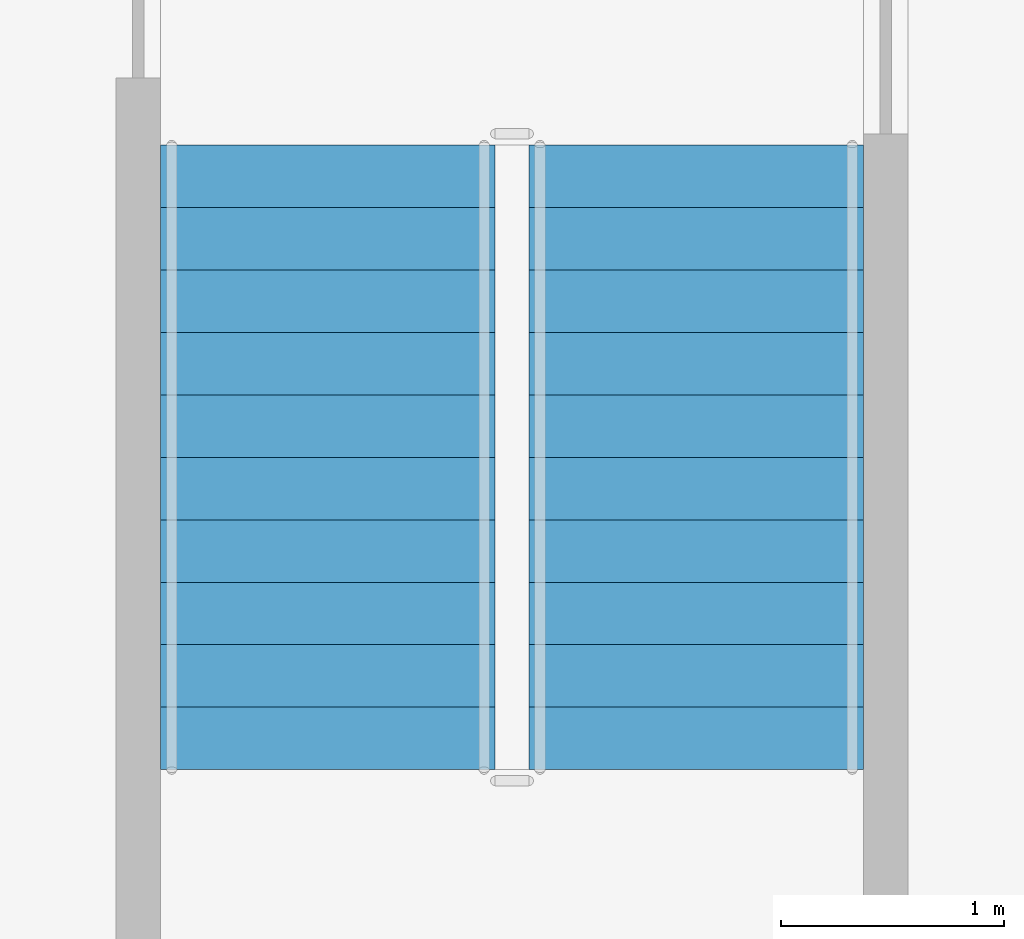
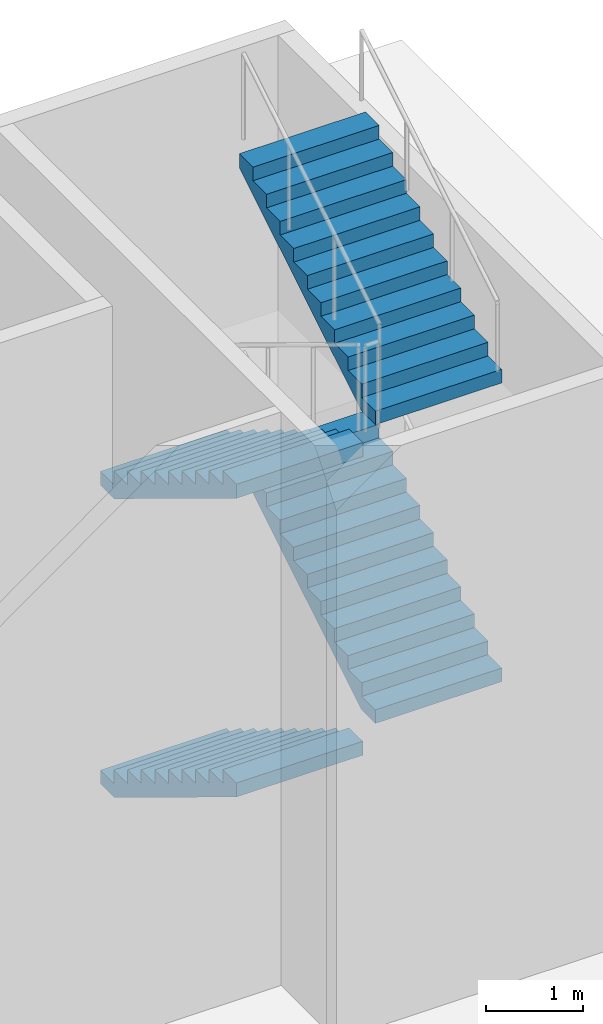
# One storey, part 43 of 52: 4 stair flights, 1 element without a shape of its own.
"""IFC4 building model written with IfcOpenShell, lengths in metres."""

from ifc_helpers import new_model, si_unit, direction, frame, origin, place, context, subcontext, project, spatial, polyline, outline, extrude, source, transform, mapped, material, type_object, element, aggregate, save


model = new_model("IFC4")

# Units and contexts
model_context = context("Model", 3, precision=1e-05, world=origin(), true_north=direction((0.0, 1.0)))
body_context = subcontext(model_context, "Body", "Model", "MODEL_VIEW")
ifc_project = project(units=[si_unit("LENGTHUNIT", "METRE"), si_unit("AREAUNIT", "SQUARE_METRE"), si_unit("VOLUMEUNIT", "CUBIC_METRE"), si_unit("PLANEANGLEUNIT", "RADIAN"), si_unit("MASSUNIT", "GRAM", prefix="KILO")], contexts=[model_context])

# Site, building, storey
site_placement = place(None, origin())
site = spatial("IfcSite", under=ifc_project, at=site_placement, CompositionType="ELEMENT")
building_placement = place(site_placement, origin())
building = spatial("IfcBuilding", under=site, at=building_placement, Name="Khomas Fold Tower", CompositionType="ELEMENT")
storey_placement = place(building_placement, origin())
storey = spatial("IfcBuildingStorey", under=building, at=storey_placement, Name="L00", CompositionType="ELEMENT", Elevation=0.0)

# Stair, stair flights
ifc_material_1 = material(Name="Concrete C40/50", Category="concrete")
stair_type = type_object("IfcStairType", Name="Stair PS6", PredefinedType="HALF_TURN_STAIR", material=ifc_material_1)
stair_placement = place(storey_placement, origin())
stair = element("IfcStair", 1, at=stair_placement, inside=storey, type_object=stair_type, Name="L00 PS6", PredefinedType="HALF_TURN_STAIR")
ifc_material_2 = material(Name="Concrete C40/50", Category="concrete")
stair_flight_type = type_object("IfcStairFlightType", Name="Stair flight 1500 PS6", PredefinedType="STRAIGHT", material=ifc_material_2)
shared_shape = source(origin(), body_context, "Body", "SweptSolid", [
    extrude(outline(polyline([(0.0, 0.0), (0.0, 0.01318359375), (0.0, 0.026123046875), (0.0, 0.039306640625), (0.0, 0.052490234375), (0.0, 0.065673828125), (0.0, 0.07861328125), (0.0, 0.091796875), (0.0, 0.10498046875), (0.0, 0.117919921875), (0.0, 0.131103515625), (0.0, 0.144287109375), (0.0, 0.1572265625), (0.0, 0.17041015625), (0.280029296875, 0.17041015625), (0.280029296875, 0.3408203125), (0.56005859375, 0.3408203125), (0.56005859375, 0.511474609375), (0.840087890625, 0.511474609375), (0.840087890625, 0.681884765625), (1.1201171875, 0.681884765625), (1.1201171875, 0.852294921875), (1.39990234375, 0.852294921875), (1.39990234375, 1.022705078125), (1.679931640625, 1.022705078125), (1.679931640625, 1.193115234375), (1.9599609375, 1.193115234375), (1.9599609375, 1.363525390625), (2.239990234375, 1.363525390625), (2.239990234375, 1.5341796875), (2.52001953125, 1.5341796875), (2.52001953125, 1.70458984375), (2.800048828125, 1.70458984375), (2.800048828125, 1.875), (2.800048828125, 1.848388671875), (2.800048828125, 1.82177734375), (2.800048828125, 1.795166015625), (2.800048828125, 1.7685546875), (2.800048828125, 1.741943359375), (2.800048828125, 1.71533203125), (2.800048828125, 1.688720703125), (2.800048828125, 1.662109375), (2.800048828125, 1.635498046875), (2.800048828125, 1.60888671875), (2.800048828125, 1.582275390625), (2.800048828125, 1.5556640625), (2.800048828125, 1.529052734375), (0.288330078125, 0.0), (0.0, 0.0)])), frame((0.0, 0.75, 0.0), z_axis=(0.0, -1.0, 0.0), x_axis=(1.0, 0.0, 0.0)), (0.0, 0.0, 1.0), 1.5),
])
stair_flight_1_placement = place(storey_placement, frame((78.39990234375, 52.0, 0.0), z_axis=(0.0, 0.0, 1.0), x_axis=(0.0, -1.0, 0.0)))
stair_flight_1 = element("IfcStairFlight", 2, at=stair_flight_1_placement, type_object=stair_flight_type, Name="PS6 flight 1", NumberOfRisers=11, NumberOfTreads=10, PredefinedType="STRAIGHT", RiserHeight=0.170454545, TreadLength=0.28, context=body_context, shape_type="MappedRepresentation", body=[
    mapped(shared_shape, transform((0.0, 0.0, 0.0))),
])
stair_flight_2_placement = place(storey_placement, frame((80.050048828125, 49.199951171875, 1.875), z_axis=(0.0, 0.0, 1.0), x_axis=(0.0, 1.0, 0.0)))
stair_flight_2 = element("IfcStairFlight", 3, at=stair_flight_2_placement, type_object=stair_flight_type, Name="PS6 flight 2", NumberOfRisers=11, NumberOfTreads=10, PredefinedType="STRAIGHT", RiserHeight=0.170454545, TreadLength=0.28, context=body_context, shape_type="MappedRepresentation", body=[
    mapped(shared_shape, transform((0.0, 0.0, 0.0))),
])
stair_flight_3_placement = place(storey_placement, frame((78.39990234375, 52.0, 3.75), z_axis=(0.0, 0.0, 1.0), x_axis=(0.0, -1.0, 0.0)))
stair_flight_3 = element("IfcStairFlight", 4, at=stair_flight_3_placement, type_object=stair_flight_type, Name="PS6 flight 3", NumberOfRisers=11, NumberOfTreads=10, PredefinedType="STRAIGHT", RiserHeight=0.170454545, TreadLength=0.28, context=body_context, shape_type="MappedRepresentation", body=[
    mapped(shared_shape, transform((0.0, 0.0, 0.0))),
])
stair_flight_4_placement = place(storey_placement, frame((80.050048828125, 49.199951171875, 5.625), z_axis=(0.0, 0.0, 1.0), x_axis=(0.0, 1.0, 0.0)))
stair_flight_4 = element("IfcStairFlight", 5, at=stair_flight_4_placement, type_object=stair_flight_type, Name="PS6 flight 4", NumberOfRisers=11, NumberOfTreads=10, PredefinedType="STRAIGHT", RiserHeight=0.170454545, TreadLength=0.28, context=body_context, shape_type="MappedRepresentation", body=[
    mapped(shared_shape, transform((0.0, 0.0, 0.0))),
])
aggregate(stair, [stair_flight_1, stair_flight_2, stair_flight_3, stair_flight_4])

save(model, "model.ifc")
